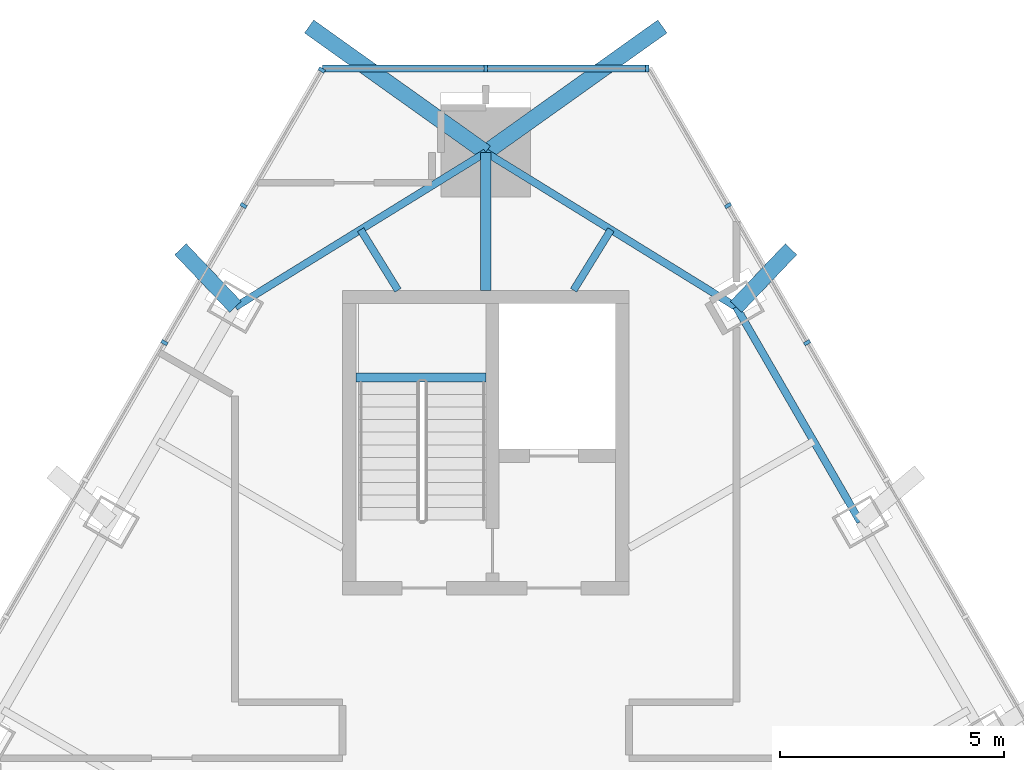
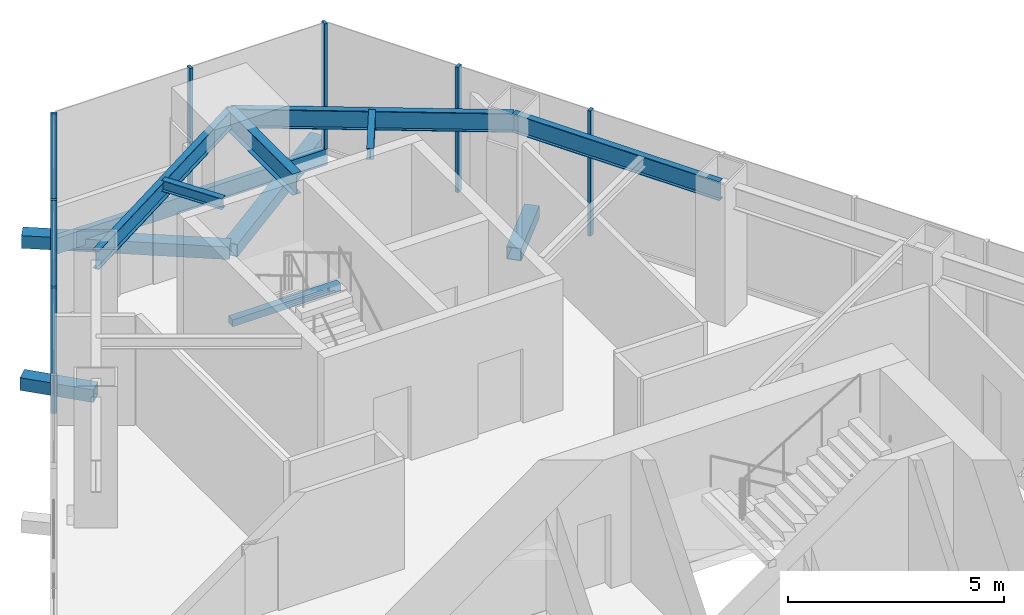
# One storey, part 9 of 14: 12 members, 7 beams, 3 elements without a shape of their own.
"""IFC4 building model written with IfcOpenShell, lengths in metres."""

from ifc_helpers import new_model, si_unit, direction, frame, origin, origin_2d, place, context, subcontext, project, spatial, rectangle, hollow_rectangle, i_section, extrude, material, layer, layer_set, material_profile, profile_set, type_object, element, aggregate, save


model = new_model("IFC4")

# Units and contexts
model_context = context("Model", 3, precision=1e-05, world=origin(), true_north=direction((0.0, 1.0)))
body_context = subcontext(model_context, "Body", "Model", "MODEL_VIEW")
ifc_project = project(units=[si_unit("LENGTHUNIT", "METRE"), si_unit("AREAUNIT", "SQUARE_METRE"), si_unit("VOLUMEUNIT", "CUBIC_METRE"), si_unit("PLANEANGLEUNIT", "RADIAN"), si_unit("MASSUNIT", "GRAM", prefix="KILO")], contexts=[model_context])

# Site, building, storey
site_placement = place(None, origin())
site = spatial("IfcSite", under=ifc_project, at=site_placement, CompositionType="ELEMENT")
building_placement = place(site_placement, origin())
building = spatial("IfcBuilding", under=site, at=building_placement, Name="Firuza Gate Tower and Library", CompositionType="ELEMENT")
storey_placement = place(building_placement, frame((0.0, 0.0, 331.60009765625)))
storey = spatial("IfcBuildingStorey", under=building, at=storey_placement, Name="L81", CompositionType="ELEMENT", Elevation=331.60009765625)

# Curtain wall, members
ifc_material_1 = material(Name="Aluminium 6063-T6", Category="aluminium")
ifc_layer = layer(ifc_material_1, 0.14990234375)
ifc_layer_set = layer_set([ifc_layer], Name="Ceramic screen wall, crown plant")
curtain_wall_type = type_object("IfcCurtainWallType", Name="Ceramic screen wall, crown plant", PredefinedType="NOTDEFINED", material=ifc_layer_set)
placement = place(storey_placement, origin())
curtain_wall_1 = element("IfcCurtainWall", 1, at=placement, inside=storey, type_object=curtain_wall_type, Name="CW6 L81 E", PredefinedType="NOTDEFINED")
ifc_material_2 = material(Name="Aluminium 6063-T6", Category="aluminium")
ifc_material_profile_1 = material_profile(ifc_material_2, rectangle(XDim=0.14990234375, YDim=0.080078125, at=origin_2d()))
ifc_profile_set_1 = profile_set([ifc_material_profile_1], Name="Aluminium 6063-T6")
member_type_1 = type_object("IfcMemberType", Name="Curtain wall mullion 80x150", PredefinedType="MULLION", material=ifc_profile_set_1)
member_1_placement = place(storey_placement, frame((82.178466796875, 93.431640625, 0.14990234375), z_axis=(0.0, 0.0, 1.0), x_axis=(-0.866025403784, -0.5, 0.0)))
member_1 = element("IfcMember", 2, at=member_1_placement, type_object=member_type_1, Name="Mullion", PredefinedType="MULLION", context=body_context, shape_type="SweptSolid", body=[
    extrude(rectangle(XDim=0.14990234375, YDim=0.080078125, at=origin_2d()), origin(), (0.0, 0.0, 1.0), 3.550048828125),
])
member_2_placement = place(storey_placement, frame((80.410888671875, 96.4931640625, 0.14990234375), z_axis=(0.0, 0.0, 1.0), x_axis=(-0.866025403784, -0.5, 0.0)))
member_2 = element("IfcMember", 3, at=member_2_placement, type_object=member_type_1, Name="Mullion", PredefinedType="MULLION", context=body_context, shape_type="SweptSolid", body=[
    extrude(rectangle(XDim=0.14990234375, YDim=0.080078125, at=origin_2d()), origin(), (0.0, 0.0, 1.0), 3.550048828125),
])
aggregate(curtain_wall_1, [member_1, member_2])

curtain_wall_2 = element("IfcCurtainWall", 4, at=placement, inside=storey, type_object=curtain_wall_type, Name="CW6 L81 N", PredefinedType="NOTDEFINED")
member_3_placement = place(storey_placement, frame((78.603271484375, 99.5546875, 0.14990234375), z_axis=(0.0, 0.0, 1.0), x_axis=(0.0, -1.0, 0.0)))
member_3 = element("IfcMember", 5, at=member_3_placement, type_object=member_type_1, Name="Mullion", PredefinedType="MULLION", context=body_context, shape_type="SweptSolid", body=[
    extrude(rectangle(XDim=0.14990234375, YDim=0.080078125, at=origin_2d()), origin(), (0.0, 0.0, 1.0), 3.550048828125),
])
member_4_placement = place(storey_placement, frame((75.0, 99.5546875, 0.14990234375), z_axis=(0.0, 0.0, 1.0), x_axis=(0.0, -1.0, 0.0)))
member_4 = element("IfcMember", 6, at=member_4_placement, type_object=member_type_1, Name="Mullion", PredefinedType="MULLION", context=body_context, shape_type="SweptSolid", body=[
    extrude(rectangle(XDim=0.14990234375, YDim=0.080078125, at=origin_2d()), origin(), (0.0, 0.0, 1.0), 3.550048828125),
])

curtain_wall_3 = element("IfcCurtainWall", 7, at=placement, inside=storey, type_object=curtain_wall_type, Name="CW6 L81 W", PredefinedType="NOTDEFINED")
member_5_placement = place(storey_placement, frame((71.336669921875, 99.52001953125, 0.14990234375), z_axis=(0.0, 0.0, 1.0), x_axis=(0.866025403784, -0.5, 0.0)))
member_5 = element("IfcMember", 8, at=member_5_placement, type_object=member_type_1, Name="Mullion", PredefinedType="MULLION", context=body_context, shape_type="SweptSolid", body=[
    extrude(rectangle(XDim=0.14990234375, YDim=0.080078125, at=origin_2d()), origin(), (0.0, 0.0, 1.0), 3.550048828125),
])
member_6_placement = place(storey_placement, frame((69.589111328125, 96.4931640625, 0.14990234375), z_axis=(0.0, 0.0, 1.0), x_axis=(0.866025403784, -0.5, 0.0)))
member_6 = element("IfcMember", 9, at=member_6_placement, type_object=member_type_1, Name="Mullion", PredefinedType="MULLION", context=body_context, shape_type="SweptSolid", body=[
    extrude(rectangle(XDim=0.14990234375, YDim=0.080078125, at=origin_2d()), origin(), (0.0, 0.0, 1.0), 3.550048828125),
])
member_7_placement = place(storey_placement, frame((67.821533203125, 93.431640625, 0.14990234375), z_axis=(0.0, 0.0, 1.0), x_axis=(0.866025403784, -0.5, 0.0)))
member_7 = element("IfcMember", 10, at=member_7_placement, type_object=member_type_1, Name="Mullion", PredefinedType="MULLION", context=body_context, shape_type="SweptSolid", body=[
    extrude(rectangle(XDim=0.14990234375, YDim=0.080078125, at=origin_2d()), origin(), (0.0, 0.0, 1.0), 3.550048828125),
])
aggregate(curtain_wall_3, [member_5, member_6, member_7])

# Member
ifc_material_3 = material(Name="Aluminium 6063-T6", Category="aluminium")
ifc_material_profile_2 = material_profile(ifc_material_3, rectangle(XDim=0.14990234375, YDim=0.449951171875, at=origin_2d()))
ifc_profile_set_2 = profile_set([ifc_material_profile_2], Name="Aluminium 6063-T6")
member_type_2 = type_object("IfcMemberType", Name="Curtain wall transom 450x150", PredefinedType="USERDEFINED", material=ifc_profile_set_2)
member_8_placement = place(storey_placement, frame((78.643310546875, 99.5546875, -0.0751953125), z_axis=(-1.0, 0.0, 0.0), x_axis=(0.0, -1.0, 0.0)))
member_8 = element("IfcMember", 11, at=member_8_placement, type_object=member_type_2, Name="Transom", ObjectType="TRANSOM", PredefinedType="USERDEFINED", context=body_context, shape_type="SweptSolid", body=[
    extrude(rectangle(XDim=0.14990234375, YDim=0.449951171875, at=origin_2d()), origin(), (0.0, 0.0, 1.0), 7.28662109375),
])

aggregate(curtain_wall_2, [member_3, member_4, member_8])

# Members
ifc_material_4 = material(Name="Steel S355", Category="steel")
ifc_material_profile_3 = material_profile(ifc_material_4, hollow_rectangle(XDim=0.355712890625, YDim=0.355712890625, WallThickness=0.014892578125, at=origin_2d()))
ifc_profile_set_3 = profile_set([ifc_material_profile_3], Name="Steel S355")
member_type_3 = type_object("IfcMemberType", Name="HSS356x356x16 Lattice node tie", PredefinedType="BRACE", material=ifc_profile_set_3)
member_9_placement = place(storey_placement, frame((75.0, 97.6796875, -0.320068359375), z_axis=(0.814298129007, 0.580446859838, 0.0), x_axis=(-0.580446859838, 0.814298129007, 0.0)))
element("IfcMember", 12, at=member_9_placement, inside=storey, type_object=member_type_3, Name="Lattice node tie E L81 601", PredefinedType="BRACE", context=body_context, shape_type="SweptSolid", body=[
    extrude(hollow_rectangle(XDim=0.355712890625, YDim=0.355712890625, WallThickness=0.014892578125, at=origin_2d()), origin(), (0.0, 0.0, 1.0), 4.84619140625),
])
for number, where, z_axis, x_axis, name in (
    (13, (80.592041015625, 94.2294921875, -0.320068359375), (0.689391240465, 0.724389203101, 0.0), (-0.724389203101, 0.689391240465, 0.0), "Lattice node tie E L81 602"),
    (14, (69.407958984375, 94.2294921875, -0.320068359375), (-0.689391240465, 0.724389203101, 0.0), (-0.724389203101, -0.689391240465, 0.0), "Lattice node tie W L81 623"),
):
    element("IfcMember", number, at=place(storey_placement, frame(where, z_axis=z_axis, x_axis=x_axis)), inside=storey, type_object=member_type_3, Name=name, PredefinedType="BRACE", context=body_context, shape_type="SweptSolid", body=[
        extrude(hollow_rectangle(XDim=0.355712890625, YDim=0.355712890625, WallThickness=0.014892578125, at=origin_2d()), origin(), (0.0, 0.0, 1.0), 1.77880859375),
    ])
member_10_placement = place(storey_placement, frame((75.0, 97.6796875, -0.320068359375), z_axis=(-0.814298129007, 0.580446859838, 0.0), x_axis=(-0.580446859838, -0.814298129007, 0.0)))
element("IfcMember", 15, at=member_10_placement, inside=storey, type_object=member_type_3, Name="Lattice node tie W L81 624", PredefinedType="BRACE", context=body_context, shape_type="SweptSolid", body=[
    extrude(hollow_rectangle(XDim=0.355712890625, YDim=0.355712890625, WallThickness=0.014892578125, at=origin_2d()), origin(), (0.0, 0.0, 1.0), 4.84619140625),
])

# Beams
ifc_material_5 = material(Name="Concrete C35/45", Category="concrete")
ifc_material_profile_4 = material_profile(ifc_material_5, rectangle(XDim=0.199951171875, YDim=0.199951171875, at=origin_2d()))
ifc_profile_set_4 = profile_set([ifc_material_profile_4], Name="Concrete C35/45")
beam_type_1 = type_object("IfcBeamType", Name="Stair landing bearer 200x200", PredefinedType="BEAM", material=ifc_profile_set_4)
beam_1_placement = place(storey_placement, frame((75.0, 92.64990234375, 1.699951171875), z_axis=(-1.0, 0.0, 0.0), x_axis=(0.0, -1.0, 0.0)))
element("IfcBeam", 16, at=beam_1_placement, inside=storey, type_object=beam_type_1, Name="Landing bearer L81 stair 3", PredefinedType="BEAM", context=body_context, shape_type="SweptSolid", body=[
    extrude(rectangle(XDim=0.199951171875, YDim=0.199951171875, at=origin_2d()), origin(), (0.0, 0.0, 1.0), 2.89990234375),
])
ifc_material_6 = material(Name="Steel S355", Category="steel")
ifc_material_profile_5 = material_profile(ifc_material_6, i_section(OverallWidth=0.1650390625, OverallDepth=0.31005859375, WebThickness=0.005859375, FlangeThickness=0.009765625, at=origin_2d()))
ifc_profile_set_5 = profile_set([ifc_material_profile_5], Name="Steel S355")
beam_type_2 = type_object("IfcBeamType", Name="W310x39 Floor beam", PredefinedType="JOIST", material=ifc_profile_set_5)
for number, where, z_axis, x_axis, name in (
    (17, (77.7958984375, 95.95458984375, 3.544921875), (-0.525081324585, -0.851052056324, 0.0), (0.851052056324, -0.525081324585, 0.0), "Floor beam L81 s60"),
    (18, (72.2041015625, 95.95458984375, 3.544921875), (0.525081324585, -0.851052056324, 0.0), (0.851052056324, 0.525081324585, 0.0), "Floor beam L81 s70"),
):
    element("IfcBeam", number, at=place(storey_placement, frame(where, z_axis=z_axis, x_axis=x_axis)), inside=storey, type_object=beam_type_2, Name=name, PredefinedType="JOIST", context=body_context, shape_type="SweptSolid", body=[
        extrude(i_section(OverallWidth=0.1650390625, OverallDepth=0.31005859375, WebThickness=0.005859375, FlangeThickness=0.009765625, at=origin_2d()), origin(), (0.0, 0.0, 1.0), 1.591552734375),
    ])
ifc_material_7 = material(Name="Steel S355", Category="steel")
ifc_material_profile_6 = material_profile(ifc_material_7, i_section(OverallWidth=0.166015625, OverallDepth=0.534912109375, WebThickness=0.01025390625, FlangeThickness=0.0166015625, at=origin_2d()))
ifc_profile_set_6 = profile_set([ifc_material_profile_6], Name="Steel S355")
beam_type_3 = type_object("IfcBeamType", Name="W530x85 Edge beam", PredefinedType="SPANDREL", material=ifc_profile_set_6)
beam_2_placement = place(storey_placement, frame((83.363525390625, 89.42919921875, 3.432373046875), z_axis=(-0.500004591975, 0.86602275259, 0.0), x_axis=(-0.86602275259, -0.500004591975, 0.0)))
element("IfcBeam", 19, at=beam_2_placement, inside=storey, type_object=beam_type_3, Name="Edge beam L81 e54", PredefinedType="SPANDREL", context=body_context, shape_type="SweptSolid", body=[
    extrude(i_section(OverallWidth=0.166015625, OverallDepth=0.534912109375, WebThickness=0.01025390625, FlangeThickness=0.0166015625, at=origin_2d()), origin(), (0.0, 0.0, 1.0), 5.54296875),
])
for number, where, z_axis, x_axis, name in (
    (20, (80.592041015625, 94.2294921875, 3.432373046875), (-0.851050497094, 0.525083851776, 0.0), (-0.525083851776, -0.851050497094, 0.0), "Edge beam L81 e60"),
    (21, (75.0, 97.6796875, 3.432373046875), (-0.851050497094, -0.525083851776, 0.0), (0.525083851776, -0.851050497094, 0.0), "Edge beam L81 e70"),
):
    element("IfcBeam", number, at=place(storey_placement, frame(where, z_axis=z_axis, x_axis=x_axis)), inside=storey, type_object=beam_type_3, Name=name, PredefinedType="SPANDREL", context=body_context, shape_type="SweptSolid", body=[
        extrude(i_section(OverallWidth=0.166015625, OverallDepth=0.534912109375, WebThickness=0.01025390625, FlangeThickness=0.0166015625, at=origin_2d()), origin(), (0.0, 0.0, 1.0), 6.57080078125),
    ])
ifc_material_8 = material(Name="Steel S355", Category="steel")
ifc_material_profile_7 = material_profile(ifc_material_8, i_section(OverallWidth=0.22802734375, OverallDepth=0.60302734375, WebThickness=0.010498046875, FlangeThickness=0.014892578125, at=origin_2d()))
ifc_profile_set_7 = profile_set([ifc_material_profile_7], Name="Steel S355")
beam_type_4 = type_object("IfcBeamType", Name="W610x101 Girder", PredefinedType="BEAM", material=ifc_profile_set_7)
beam_3_placement = place(storey_placement, frame((75.0, 97.6796875, 3.3984375), z_axis=(0.0, -1.0, 0.0), x_axis=(1.0, 0.0, 0.0)))
element("IfcBeam", 22, at=beam_3_placement, inside=storey, type_object=beam_type_4, Name="Girder L81 gN", PredefinedType="BEAM", context=body_context, shape_type="SweptSolid", body=[
    extrude(i_section(OverallWidth=0.22802734375, OverallDepth=0.60302734375, WebThickness=0.010498046875, FlangeThickness=0.014892578125, at=origin_2d()), origin(), (0.0, 0.0, 1.0), 3.07958984375),
])

save(model, "model.ifc")
